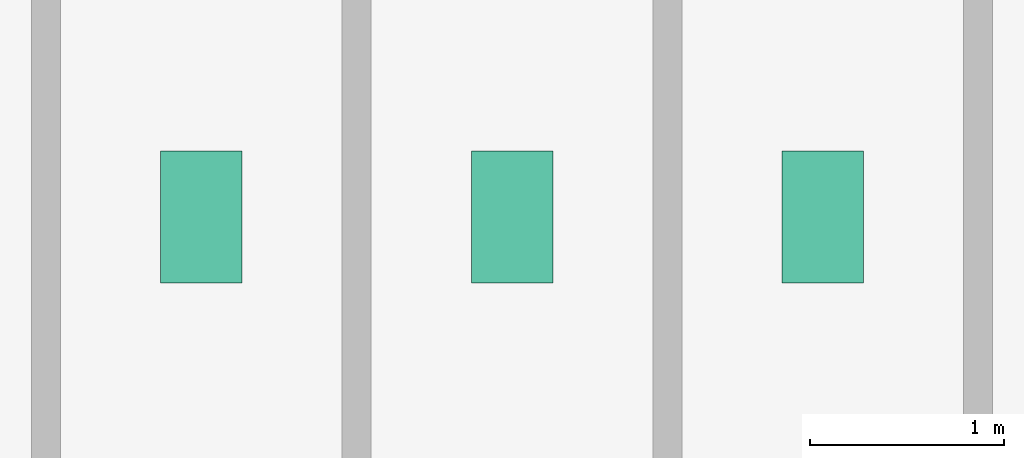
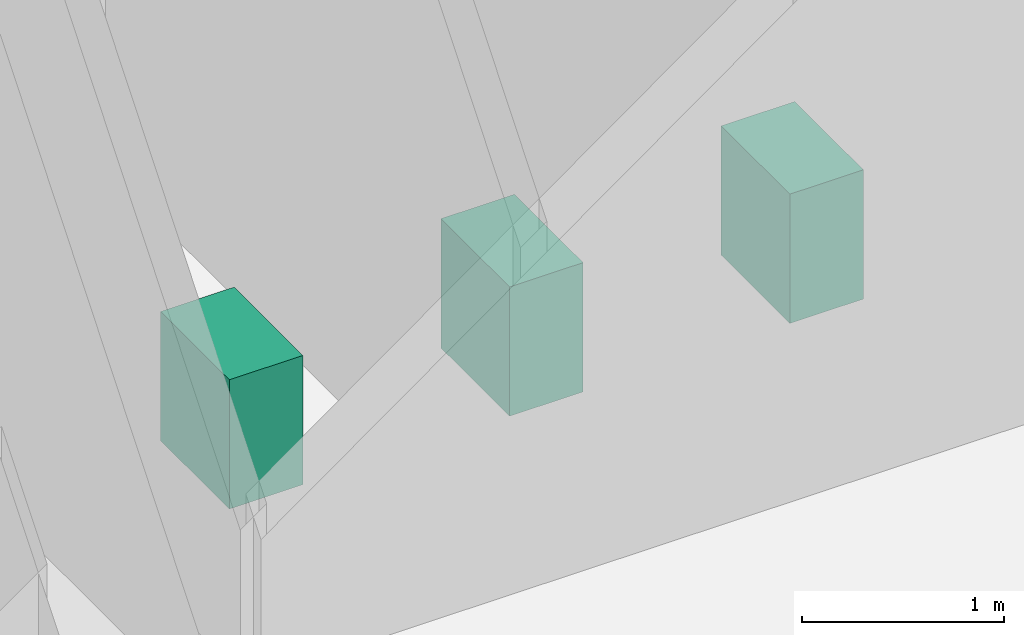
# One storey, part 22 of 22: 3 sanitary terminals.
"""IFC4 building model written with IfcOpenShell, lengths in metres."""

from ifc_helpers import new_model, si_unit, derived_unit, direction, frame, origin, origin_2d, place, context, subcontext, project, spatial, rectangle, extrude, source, transform, mapped, material, type_object, element, save


model = new_model("IFC4")

# Units and contexts
model_context = context("Model", 3, precision=1e-05, world=origin(), true_north=direction((0.0, 1.0)))
body_context = subcontext(model_context, "Body", "Model", "MODEL_VIEW")
ifc_project = project(units=[si_unit("LENGTHUNIT", "METRE"), si_unit("AREAUNIT", "SQUARE_METRE"), si_unit("VOLUMEUNIT", "CUBIC_METRE"), si_unit("PLANEANGLEUNIT", "RADIAN"), si_unit("MASSUNIT", "GRAM", prefix="KILO"), derived_unit("THERMALTRANSMITTANCEUNIT", [(si_unit("POWERUNIT", "WATT"), 1), (si_unit("LENGTHUNIT", "METRE"), -2), (si_unit("THERMODYNAMICTEMPERATUREUNIT", "KELVIN"), -1)])], contexts=[model_context])

# Site, building, storey
site_placement = place(None, origin())
site = spatial("IfcSite", under=ifc_project, at=site_placement, CompositionType="ELEMENT")
building_placement = place(site_placement, origin())
building = spatial("IfcBuilding", under=site, at=building_placement, Name="Skarnbrae Concourse Arena and Tower", CompositionType="ELEMENT")
storey_placement = place(building_placement, frame((0.0, 0.0, 262.449951171875)))
storey = spatial("IfcBuildingStorey", under=building, at=storey_placement, Name="L68", CompositionType="ELEMENT", Elevation=262.449951171875)

# Sanitary terminals
ifc_material = material(Name="Vitreous china sanitaryware", Category="other")
sanitary_terminal_type = type_object("IfcSanitaryTerminalType", Name="SAN-WC-VITREOUS", PredefinedType="TOILETPAN", material=ifc_material)
shared_shape = source(origin(), body_context, "Body", "SweptSolid", [
    extrude(rectangle(XDim=0.419921875, YDim=0.679931640625, at=origin_2d()), origin(), (0.0, 0.0, 1.0), 0.780029296875),
])
for number, where, z_axis, x_axis, name in (
    (1, (35.0, 11.39990234375, 0.0), (0.0, 0.0, 1.0), (1.0, 0.0, 0.0), "L68 Washroom WC fixture 1"),
    (2, (36.60009765625, 11.39990234375, 0.0), (0.0, 0.0, 1.0), (1.0, 0.0, 0.0), "L68 Washroom WC fixture 2"),
    (3, (38.199951171875, 11.39990234375, 0.0), (0.0, 0.0, 1.0), (1.0, 0.0, 0.0), "L68 Washroom WC fixture 3"),
):
    element("IfcSanitaryTerminal", number, at=place(storey_placement, frame(where, z_axis=z_axis, x_axis=x_axis)), inside=storey, type_object=sanitary_terminal_type, Name=name, PredefinedType="TOILETPAN", context=body_context, shape_type="MappedRepresentation", body=[
        mapped(shared_shape, transform((0.0, 0.0, 0.0))),
    ])

save(model, "model.ifc")
